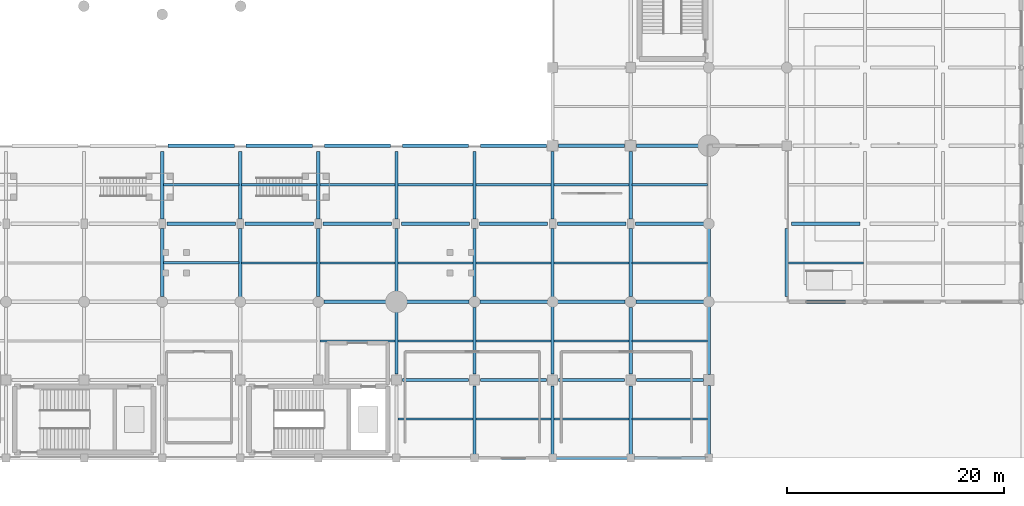
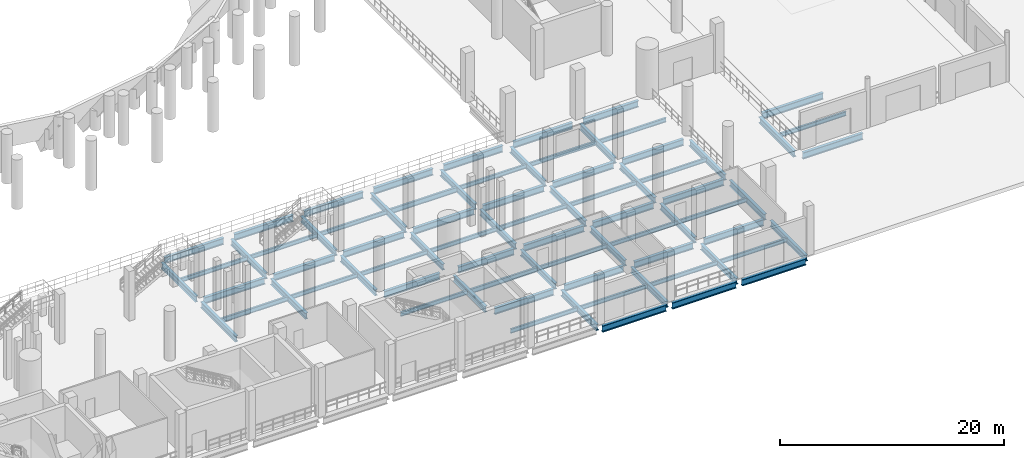
# One storey, part 8 of 58: 77 beams.
"""IFC4 building model written with IfcOpenShell, lengths in metres."""

from ifc_helpers import new_model, si_unit, direction, frame, origin, origin_2d, place, context, subcontext, project, spatial, i_section, extrude, material, material_profile, profile_set, type_object, element, save


model = new_model("IFC4")

# Units and contexts
model_context = context("Model", 3, precision=1e-05, world=origin(), true_north=direction((0.0, 1.0)))
body_context = subcontext(model_context, "Body", "Model", "MODEL_VIEW")
ifc_project = project(units=[si_unit("LENGTHUNIT", "METRE"), si_unit("AREAUNIT", "SQUARE_METRE"), si_unit("VOLUMEUNIT", "CUBIC_METRE"), si_unit("PLANEANGLEUNIT", "RADIAN"), si_unit("MASSUNIT", "GRAM", prefix="KILO")], contexts=[model_context])

# Site, building, storey
site_placement = place(None, origin())
site = spatial("IfcSite", under=ifc_project, at=site_placement, CompositionType="ELEMENT")
building_placement = place(site_placement, origin())
building = spatial("IfcBuilding", under=site, at=building_placement, Name="Qandorah Velis Arena", CompositionType="ELEMENT")
storey_placement = place(building_placement, origin())
storey = spatial("IfcBuildingStorey", under=building, at=storey_placement, Name="L00", CompositionType="ELEMENT", Elevation=0.0)

# Beams
ifc_material = material(Name="Steel S355", Category="steel")
ifc_material_profile_1 = material_profile(ifc_material, i_section(OverallWidth=0.300048828125, OverallDepth=0.64990234375, WebThickness=0.01611328125, FlangeThickness=0.031005859375, FilletRadius=0.027099609375, at=origin_2d()), Name="HEB 650")
ifc_profile_set_1 = profile_set([ifc_material_profile_1], Name="Steel S355")
beam_type_1 = type_object("IfcBeamType", Name="STR-BM-HEB650", PredefinedType="BEAM", material=ifc_profile_set_1)
beam_1_placement = place(storey_placement, frame((64.800048828125, 14.89990234375, -0.7451171875), z_axis=(0.0, 1.0, 0.0), x_axis=(-1.0, 0.0, 0.0)))
element("IfcBeam", 1, at=beam_1_placement, inside=storey, type_object=beam_type_1, Name="Primary floor girder L00 Y-380", PredefinedType="BEAM", context=body_context, shape_type="SweptSolid", body=[
    extrude(i_section(OverallWidth=0.300048828125, OverallDepth=0.64990234375, WebThickness=0.01611328125, FlangeThickness=0.031005859375, FilletRadius=0.027099609375, at=origin_2d()), origin(), (0.0, 0.0, 1.0), 6.25),
])
beam_2_placement = place(storey_placement, frame((64.800048828125, 22.050048828125, -0.7451171875), z_axis=(0.0, 1.0, 0.0), x_axis=(-1.0, 0.0, 0.0)))
element("IfcBeam", 2, at=beam_2_placement, inside=storey, type_object=beam_type_1, Name="Primary floor girder L00 Y-381", PredefinedType="BEAM", context=body_context, shape_type="SweptSolid", body=[
    extrude(i_section(OverallWidth=0.300048828125, OverallDepth=0.64990234375, WebThickness=0.01611328125, FlangeThickness=0.031005859375, FilletRadius=0.027099609375, at=origin_2d()), origin(), (0.0, 0.0, 1.0), 6.199951171875),
])
beam_3_placement = place(storey_placement, frame((72.0, 14.85009765625, -0.7451171875), z_axis=(0.0, 1.0, 0.0), x_axis=(-1.0, 0.0, 0.0)))
element("IfcBeam", 3, at=beam_3_placement, inside=storey, type_object=beam_type_1, Name="Primary floor girder L00 Y-388", PredefinedType="BEAM", context=body_context, shape_type="SweptSolid", body=[
    extrude(i_section(OverallWidth=0.300048828125, OverallDepth=0.64990234375, WebThickness=0.01611328125, FlangeThickness=0.031005859375, FilletRadius=0.027099609375, at=origin_2d()), origin(), (0.0, 0.0, 1.0), 6.2998046875),
])
beam_4_placement = place(storey_placement, frame((72.0, 22.050048828125, -0.7451171875), z_axis=(0.0, 1.0, 0.0), x_axis=(-1.0, 0.0, 0.0)))
element("IfcBeam", 4, at=beam_4_placement, inside=storey, type_object=beam_type_1, Name="Primary floor girder L00 Y-389", PredefinedType="BEAM", context=body_context, shape_type="SweptSolid", body=[
    extrude(i_section(OverallWidth=0.300048828125, OverallDepth=0.64990234375, WebThickness=0.01611328125, FlangeThickness=0.031005859375, FilletRadius=0.027099609375, at=origin_2d()), origin(), (0.0, 0.0, 1.0), 6.199951171875),
])
beam_5_placement = place(storey_placement, frame((79.199951171875, 14.89990234375, -0.7451171875), z_axis=(0.0, 1.0, 0.0), x_axis=(-1.0, 0.0, 0.0)))
element("IfcBeam", 5, at=beam_5_placement, inside=storey, type_object=beam_type_1, Name="Primary floor girder L00 Y-395", PredefinedType="BEAM", context=body_context, shape_type="SweptSolid", body=[
    extrude(i_section(OverallWidth=0.300048828125, OverallDepth=0.64990234375, WebThickness=0.01611328125, FlangeThickness=0.031005859375, FilletRadius=0.027099609375, at=origin_2d()), origin(), (0.0, 0.0, 1.0), 6.25),
])
beam_6_placement = place(storey_placement, frame((79.199951171875, 22.050048828125, -0.7451171875), z_axis=(0.0, 1.0, 0.0), x_axis=(-1.0, 0.0, 0.0)))
element("IfcBeam", 6, at=beam_6_placement, inside=storey, type_object=beam_type_1, Name="Primary floor girder L00 Y-396", PredefinedType="BEAM", context=body_context, shape_type="SweptSolid", body=[
    extrude(i_section(OverallWidth=0.300048828125, OverallDepth=0.64990234375, WebThickness=0.01611328125, FlangeThickness=0.031005859375, FilletRadius=0.027099609375, at=origin_2d()), origin(), (0.0, 0.0, 1.0), 6.199951171875),
])
beam_7_placement = place(storey_placement, frame((86.39990234375, 7.75, -0.7451171875), z_axis=(0.0, 1.0, 0.0), x_axis=(-1.0, 0.0, 0.0)))
element("IfcBeam", 7, at=beam_7_placement, inside=storey, type_object=beam_type_1, Name="Primary floor girder L00 Y-401", PredefinedType="BEAM", context=body_context, shape_type="SweptSolid", body=[
    extrude(i_section(OverallWidth=0.300048828125, OverallDepth=0.64990234375, WebThickness=0.01611328125, FlangeThickness=0.031005859375, FilletRadius=0.027099609375, at=origin_2d()), origin(), (0.0, 0.0, 1.0), 5.699951171875),
])
beam_8_placement = place(storey_placement, frame((86.39990234375, 15.35009765625, -0.7451171875), z_axis=(0.0, 1.0, 0.0), x_axis=(-1.0, 0.0, 0.0)))
element("IfcBeam", 8, at=beam_8_placement, inside=storey, type_object=beam_type_1, Name="Primary floor girder L00 Y-402", PredefinedType="BEAM", context=body_context, shape_type="SweptSolid", body=[
    extrude(i_section(OverallWidth=0.300048828125, OverallDepth=0.64990234375, WebThickness=0.01611328125, FlangeThickness=0.031005859375, FilletRadius=0.027099609375, at=origin_2d()), origin(), (0.0, 0.0, 1.0), 5.7998046875),
])
beam_9_placement = place(storey_placement, frame((86.39990234375, 22.050048828125, -0.7451171875), z_axis=(0.0, 1.0, 0.0), x_axis=(-1.0, 0.0, 0.0)))
element("IfcBeam", 9, at=beam_9_placement, inside=storey, type_object=beam_type_1, Name="Primary floor girder L00 Y-403", PredefinedType="BEAM", context=body_context, shape_type="SweptSolid", body=[
    extrude(i_section(OverallWidth=0.300048828125, OverallDepth=0.64990234375, WebThickness=0.01611328125, FlangeThickness=0.031005859375, FilletRadius=0.027099609375, at=origin_2d()), origin(), (0.0, 0.0, 1.0), 6.199951171875),
])
beam_10_placement = place(storey_placement, frame((93.60009765625, 0.300048828125, -0.7451171875), z_axis=(0.0, 1.0, 0.0), x_axis=(-1.0, 0.0, 0.0)))
element("IfcBeam", 10, at=beam_10_placement, inside=storey, type_object=beam_type_1, Name="Primary floor girder L00 Y-408", PredefinedType="BEAM", context=body_context, shape_type="SweptSolid", body=[
    extrude(i_section(OverallWidth=0.300048828125, OverallDepth=0.64990234375, WebThickness=0.01611328125, FlangeThickness=0.031005859375, FilletRadius=0.027099609375, at=origin_2d()), origin(), (0.0, 0.0, 1.0), 6.349853515625),
])
beam_11_placement = place(storey_placement, frame((93.60009765625, 7.75, -0.7451171875), z_axis=(0.0, 1.0, 0.0), x_axis=(-1.0, 0.0, 0.0)))
element("IfcBeam", 11, at=beam_11_placement, inside=storey, type_object=beam_type_1, Name="Primary floor girder L00 Y-409", PredefinedType="BEAM", context=body_context, shape_type="SweptSolid", body=[
    extrude(i_section(OverallWidth=0.300048828125, OverallDepth=0.64990234375, WebThickness=0.01611328125, FlangeThickness=0.031005859375, FilletRadius=0.027099609375, at=origin_2d()), origin(), (0.0, 0.0, 1.0), 6.14990234375),
])
beam_12_placement = place(storey_placement, frame((93.60009765625, 14.89990234375, -0.7451171875), z_axis=(0.0, 1.0, 0.0), x_axis=(-1.0, 0.0, 0.0)))
element("IfcBeam", 12, at=beam_12_placement, inside=storey, type_object=beam_type_1, Name="Primary floor girder L00 Y-410", PredefinedType="BEAM", context=body_context, shape_type="SweptSolid", body=[
    extrude(i_section(OverallWidth=0.300048828125, OverallDepth=0.64990234375, WebThickness=0.01611328125, FlangeThickness=0.031005859375, FilletRadius=0.027099609375, at=origin_2d()), origin(), (0.0, 0.0, 1.0), 6.25),
])
beam_13_placement = place(storey_placement, frame((93.60009765625, 22.050048828125, -0.7451171875), z_axis=(0.0, 1.0, 0.0), x_axis=(-1.0, 0.0, 0.0)))
element("IfcBeam", 13, at=beam_13_placement, inside=storey, type_object=beam_type_1, Name="Primary floor girder L00 Y-411", PredefinedType="BEAM", context=body_context, shape_type="SweptSolid", body=[
    extrude(i_section(OverallWidth=0.300048828125, OverallDepth=0.64990234375, WebThickness=0.01611328125, FlangeThickness=0.031005859375, FilletRadius=0.027099609375, at=origin_2d()), origin(), (0.0, 0.0, 1.0), 6.199951171875),
])
beam_14_placement = place(storey_placement, frame((100.800048828125, 0.300048828125, -0.7451171875), z_axis=(0.0, 1.0, 0.0), x_axis=(-1.0, 0.0, 0.0)))
element("IfcBeam", 14, at=beam_14_placement, inside=storey, type_object=beam_type_1, Name="Primary floor girder L00 Y-416", PredefinedType="BEAM", context=body_context, shape_type="SweptSolid", body=[
    extrude(i_section(OverallWidth=0.300048828125, OverallDepth=0.64990234375, WebThickness=0.01611328125, FlangeThickness=0.031005859375, FilletRadius=0.027099609375, at=origin_2d()), origin(), (0.0, 0.0, 1.0), 6.349853515625),
])
beam_15_placement = place(storey_placement, frame((100.800048828125, 7.75, -0.7451171875), z_axis=(0.0, 1.0, 0.0), x_axis=(-1.0, 0.0, 0.0)))
element("IfcBeam", 15, at=beam_15_placement, inside=storey, type_object=beam_type_1, Name="Primary floor girder L00 Y-417", PredefinedType="BEAM", context=body_context, shape_type="SweptSolid", body=[
    extrude(i_section(OverallWidth=0.300048828125, OverallDepth=0.64990234375, WebThickness=0.01611328125, FlangeThickness=0.031005859375, FilletRadius=0.027099609375, at=origin_2d()), origin(), (0.0, 0.0, 1.0), 6.199951171875),
])
beam_16_placement = place(storey_placement, frame((100.800048828125, 14.85009765625, -0.7451171875), z_axis=(0.0, 1.0, 0.0), x_axis=(-1.0, 0.0, 0.0)))
element("IfcBeam", 16, at=beam_16_placement, inside=storey, type_object=beam_type_1, Name="Primary floor girder L00 Y-418", PredefinedType="BEAM", context=body_context, shape_type="SweptSolid", body=[
    extrude(i_section(OverallWidth=0.300048828125, OverallDepth=0.64990234375, WebThickness=0.01611328125, FlangeThickness=0.031005859375, FilletRadius=0.027099609375, at=origin_2d()), origin(), (0.0, 0.0, 1.0), 6.2998046875),
])
beam_17_placement = place(storey_placement, frame((100.800048828125, 22.050048828125, -0.7451171875), z_axis=(0.0, 1.0, 0.0), x_axis=(-1.0, 0.0, 0.0)))
element("IfcBeam", 17, at=beam_17_placement, inside=storey, type_object=beam_type_1, Name="Primary floor girder L00 Y-419", PredefinedType="BEAM", context=body_context, shape_type="SweptSolid", body=[
    extrude(i_section(OverallWidth=0.300048828125, OverallDepth=0.64990234375, WebThickness=0.01611328125, FlangeThickness=0.031005859375, FilletRadius=0.027099609375, at=origin_2d()), origin(), (0.0, 0.0, 1.0), 6.199951171875),
])
beam_18_placement = place(storey_placement, frame((108.0, 0.300048828125, -0.7451171875), z_axis=(0.0, 1.0, 0.0), x_axis=(-1.0, 0.0, 0.0)))
element("IfcBeam", 18, at=beam_18_placement, inside=storey, type_object=beam_type_1, Name="Primary floor girder L00 Y-425", PredefinedType="BEAM", context=body_context, shape_type="SweptSolid", body=[
    extrude(i_section(OverallWidth=0.300048828125, OverallDepth=0.64990234375, WebThickness=0.01611328125, FlangeThickness=0.031005859375, FilletRadius=0.027099609375, at=origin_2d()), origin(), (0.0, 0.0, 1.0), 6.349853515625),
])
beam_19_placement = place(storey_placement, frame((108.0, 7.75, -0.7451171875), z_axis=(0.0, 1.0, 0.0), x_axis=(-1.0, 0.0, 0.0)))
element("IfcBeam", 19, at=beam_19_placement, inside=storey, type_object=beam_type_1, Name="Primary floor girder L00 Y-426", PredefinedType="BEAM", context=body_context, shape_type="SweptSolid", body=[
    extrude(i_section(OverallWidth=0.300048828125, OverallDepth=0.64990234375, WebThickness=0.01611328125, FlangeThickness=0.031005859375, FilletRadius=0.027099609375, at=origin_2d()), origin(), (0.0, 0.0, 1.0), 6.14990234375),
])
beam_20_placement = place(storey_placement, frame((108.0, 14.89990234375, -0.7451171875), z_axis=(0.0, 1.0, 0.0), x_axis=(-1.0, 0.0, 0.0)))
element("IfcBeam", 20, at=beam_20_placement, inside=storey, type_object=beam_type_1, Name="Primary floor girder L00 Y-427", PredefinedType="BEAM", context=body_context, shape_type="SweptSolid", body=[
    extrude(i_section(OverallWidth=0.300048828125, OverallDepth=0.64990234375, WebThickness=0.01611328125, FlangeThickness=0.031005859375, FilletRadius=0.027099609375, at=origin_2d()), origin(), (0.0, 0.0, 1.0), 6.25),
])
beam_21_placement = place(storey_placement, frame((108.0, 22.050048828125, -0.7451171875), z_axis=(0.0, 1.0, 0.0), x_axis=(-1.0, 0.0, 0.0)))
element("IfcBeam", 21, at=beam_21_placement, inside=storey, type_object=beam_type_1, Name="Primary floor girder L00 Y-428", PredefinedType="BEAM", context=body_context, shape_type="SweptSolid", body=[
    extrude(i_section(OverallWidth=0.300048828125, OverallDepth=0.64990234375, WebThickness=0.01611328125, FlangeThickness=0.031005859375, FilletRadius=0.027099609375, at=origin_2d()), origin(), (0.0, 0.0, 1.0), 6.199951171875),
])
beam_22_placement = place(storey_placement, frame((115.199951171875, 0.300048828125, -0.7451171875), z_axis=(0.0, 1.0, 0.0), x_axis=(-1.0, 0.0, 0.0)))
element("IfcBeam", 22, at=beam_22_placement, inside=storey, type_object=beam_type_1, Name="Primary floor girder L00 Y-443", PredefinedType="BEAM", context=body_context, shape_type="SweptSolid", body=[
    extrude(i_section(OverallWidth=0.300048828125, OverallDepth=0.64990234375, WebThickness=0.01611328125, FlangeThickness=0.031005859375, FilletRadius=0.027099609375, at=origin_2d()), origin(), (0.0, 0.0, 1.0), 6.39990234375),
])
beam_23_placement = place(storey_placement, frame((115.199951171875, 7.699951171875, -0.7451171875), z_axis=(0.0, 1.0, 0.0), x_axis=(-1.0, 0.0, 0.0)))
element("IfcBeam", 23, at=beam_23_placement, inside=storey, type_object=beam_type_1, Name="Primary floor girder L00 Y-444", PredefinedType="BEAM", context=body_context, shape_type="SweptSolid", body=[
    extrude(i_section(OverallWidth=0.300048828125, OverallDepth=0.64990234375, WebThickness=0.01611328125, FlangeThickness=0.031005859375, FilletRadius=0.027099609375, at=origin_2d()), origin(), (0.0, 0.0, 1.0), 6.25),
])
beam_24_placement = place(storey_placement, frame((115.199951171875, 14.85009765625, -0.7451171875), z_axis=(0.0, 1.0, 0.0), x_axis=(-1.0, 0.0, 0.0)))
element("IfcBeam", 24, at=beam_24_placement, inside=storey, type_object=beam_type_1, Name="Primary floor girder L00 Y-445", PredefinedType="BEAM", context=body_context, shape_type="SweptSolid", body=[
    extrude(i_section(OverallWidth=0.300048828125, OverallDepth=0.64990234375, WebThickness=0.01611328125, FlangeThickness=0.031005859375, FilletRadius=0.027099609375, at=origin_2d()), origin(), (0.0, 0.0, 1.0), 6.2998046875),
])
beam_25_placement = place(storey_placement, frame((122.39990234375, 14.89990234375, -0.7451171875), z_axis=(0.0, 1.0, 0.0), x_axis=(-1.0, 0.0, 0.0)))
element("IfcBeam", 25, at=beam_25_placement, inside=storey, type_object=beam_type_1, Name="Primary floor girder L00 Y-460", PredefinedType="BEAM", context=body_context, shape_type="SweptSolid", body=[
    extrude(i_section(OverallWidth=0.300048828125, OverallDepth=0.64990234375, WebThickness=0.01611328125, FlangeThickness=0.031005859375, FilletRadius=0.027099609375, at=origin_2d()), origin(), (0.0, 0.0, 1.0), 6.25),
])
ifc_material_profile_2 = material_profile(ifc_material, i_section(OverallWidth=0.300048828125, OverallDepth=0.699951171875, WebThickness=0.01708984375, FlangeThickness=0.031982421875, FilletRadius=0.027099609375, at=origin_2d()), Name="HEB 700")
ifc_profile_set_2 = profile_set([ifc_material_profile_2], Name="Steel S355")
beam_type_2 = type_object("IfcBeamType", Name="STR-BM-HEB700", PredefinedType="BEAM", material=ifc_profile_set_2)
beam_26_placement = place(storey_placement, frame((93.89990234375, 0.0, -0.77001953125), z_axis=(1.0, 0.0, 0.0), x_axis=(0.0, 1.0, 0.0)))
element("IfcBeam", 26, at=beam_26_placement, inside=storey, type_object=beam_type_2, Name="Primary floor girder L00 X-014", PredefinedType="BEAM", context=body_context, shape_type="SweptSolid", body=[
    extrude(i_section(OverallWidth=0.300048828125, OverallDepth=0.699951171875, WebThickness=0.01708984375, FlangeThickness=0.031982421875, FilletRadius=0.027099609375, at=origin_2d()), origin(), (0.0, 0.0, 1.0), 6.60009765625),
])
for number, where, z_axis, x_axis, name in (
    (27, (101.10009765625, 0.0, -0.77001953125), (1.0, 0.0, 0.0), (0.0, 1.0, 0.0), "Primary floor girder L00 X-015"),
    (28, (108.300048828125, 0.0, -0.77001953125), (1.0, 0.0, 0.0), (0.0, 1.0, 0.0), "Primary floor girder L00 X-016"),
):
    element("IfcBeam", number, at=place(storey_placement, frame(where, z_axis=z_axis, x_axis=x_axis)), inside=storey, type_object=beam_type_2, Name=name, PredefinedType="BEAM", context=body_context, shape_type="SweptSolid", body=[
        extrude(i_section(OverallWidth=0.300048828125, OverallDepth=0.699951171875, WebThickness=0.01708984375, FlangeThickness=0.031982421875, FilletRadius=0.027099609375, at=origin_2d()), origin(), (0.0, 0.0, 1.0), 6.599853515625),
    ])
for number, where, z_axis, x_axis, name in (
    (29, (86.949951171875, 7.199951171875, -0.77001953125), (1.0, 0.0, 0.0), (0.0, 1.0, 0.0), "Primary floor girder L00 X-029"),
    (30, (94.14990234375, 7.199951171875, -0.77001953125), (1.0, 0.0, 0.0), (0.0, 1.0, 0.0), "Primary floor girder L00 X-030"),
):
    element("IfcBeam", number, at=place(storey_placement, frame(where, z_axis=z_axis, x_axis=x_axis)), inside=storey, type_object=beam_type_2, Name=name, PredefinedType="BEAM", context=body_context, shape_type="SweptSolid", body=[
        extrude(i_section(OverallWidth=0.300048828125, OverallDepth=0.699951171875, WebThickness=0.01708984375, FlangeThickness=0.031982421875, FilletRadius=0.027099609375, at=origin_2d()), origin(), (0.0, 0.0, 1.0), 6.10009765625),
    ])
beam_27_placement = place(storey_placement, frame((101.35009765625, 7.199951171875, -0.77001953125), z_axis=(1.0, 0.0, 0.0), x_axis=(0.0, 1.0, 0.0)))
element("IfcBeam", 31, at=beam_27_placement, inside=storey, type_object=beam_type_2, Name="Primary floor girder L00 X-031", PredefinedType="BEAM", context=body_context, shape_type="SweptSolid", body=[
    extrude(i_section(OverallWidth=0.300048828125, OverallDepth=0.699951171875, WebThickness=0.01708984375, FlangeThickness=0.031982421875, FilletRadius=0.027099609375, at=origin_2d()), origin(), (0.0, 0.0, 1.0), 6.099853515625),
])
beam_28_placement = place(storey_placement, frame((108.550048828125, 7.199951171875, -0.77001953125), z_axis=(1.0, 0.0, 0.0), x_axis=(0.0, 1.0, 0.0)))
element("IfcBeam", 32, at=beam_28_placement, inside=storey, type_object=beam_type_2, Name="Primary floor girder L00 X-032", PredefinedType="BEAM", context=body_context, shape_type="SweptSolid", body=[
    extrude(i_section(OverallWidth=0.300048828125, OverallDepth=0.699951171875, WebThickness=0.01708984375, FlangeThickness=0.031982421875, FilletRadius=0.027099609375, at=origin_2d()), origin(), (0.0, 0.0, 1.0), 6.14990234375),
])
for number, where, z_axis, x_axis, name in (
    (33, (79.699951171875, 14.39990234375, -0.77001953125), (1.0, 0.0, 0.0), (0.0, 1.0, 0.0), "Primary floor girder L00 X-044"),
    (34, (87.35009765625, 14.39990234375, -0.77001953125), (1.0, 0.0, 0.0), (0.0, 1.0, 0.0), "Primary floor girder L00 X-045"),
):
    element("IfcBeam", number, at=place(storey_placement, frame(where, z_axis=z_axis, x_axis=x_axis)), inside=storey, type_object=beam_type_2, Name=name, PredefinedType="BEAM", context=body_context, shape_type="SweptSolid", body=[
        extrude(i_section(OverallWidth=0.300048828125, OverallDepth=0.699951171875, WebThickness=0.01708984375, FlangeThickness=0.031982421875, FilletRadius=0.027099609375, at=origin_2d()), origin(), (0.0, 0.0, 1.0), 5.75),
    ])
for number, where, z_axis, x_axis, name in (
    (35, (94.10009765625, 14.39990234375, -0.77001953125), (1.0, 0.0, 0.0), (0.0, 1.0, 0.0), "Primary floor girder L00 X-046"),
    (36, (101.25, 14.39990234375, -0.77001953125), (1.0, 0.0, 0.0), (0.0, 1.0, 0.0), "Primary floor girder L00 X-047"),
    (37, (108.5, 14.39990234375, -0.77001953125), (1.0, 0.0, 0.0), (0.0, 1.0, 0.0), "Primary floor girder L00 X-048"),
):
    element("IfcBeam", number, at=place(storey_placement, frame(where, z_axis=z_axis, x_axis=x_axis)), inside=storey, type_object=beam_type_2, Name=name, PredefinedType="BEAM", context=body_context, shape_type="SweptSolid", body=[
        extrude(i_section(OverallWidth=0.300048828125, OverallDepth=0.699951171875, WebThickness=0.01708984375, FlangeThickness=0.031982421875, FilletRadius=0.027099609375, at=origin_2d()), origin(), (0.0, 0.0, 1.0), 6.25),
    ])
beam_29_placement = place(storey_placement, frame((122.89990234375, 14.39990234375, -0.77001953125), z_axis=(1.0, 0.0, 0.0), x_axis=(0.0, 1.0, 0.0)))
element("IfcBeam", 38, at=beam_29_placement, inside=storey, type_object=beam_type_2, Name="Primary floor girder L00 X-049", PredefinedType="BEAM", context=body_context, shape_type="SweptSolid", body=[
    extrude(i_section(OverallWidth=0.300048828125, OverallDepth=0.699951171875, WebThickness=0.01708984375, FlangeThickness=0.031982421875, FilletRadius=0.027099609375, at=origin_2d()), origin(), (0.0, 0.0, 1.0), 6.2001953125),
])
for number, where, z_axis, x_axis, name in (
    (39, (65.25, 21.60009765625, -0.77001953125), (1.0, 0.0, 0.0), (0.0, 1.0, 0.0), "Primary floor girder L00 X-061"),
    (40, (72.449951171875, 21.60009765625, -0.77001953125), (1.0, 0.0, 0.0), (0.0, 1.0, 0.0), "Primary floor girder L00 X-062"),
    (41, (79.64990234375, 21.60009765625, -0.77001953125), (1.0, 0.0, 0.0), (0.0, 1.0, 0.0), "Primary floor girder L00 X-063"),
):
    element("IfcBeam", number, at=place(storey_placement, frame(where, z_axis=z_axis, x_axis=x_axis)), inside=storey, type_object=beam_type_2, Name=name, PredefinedType="BEAM", context=body_context, shape_type="SweptSolid", body=[
        extrude(i_section(OverallWidth=0.300048828125, OverallDepth=0.699951171875, WebThickness=0.01708984375, FlangeThickness=0.031982421875, FilletRadius=0.027099609375, at=origin_2d()), origin(), (0.0, 0.0, 1.0), 6.300048828125),
    ])
beam_30_placement = place(storey_placement, frame((86.85009765625, 21.60009765625, -0.77001953125), z_axis=(1.0, 0.0, 0.0), x_axis=(0.0, 1.0, 0.0)))
element("IfcBeam", 42, at=beam_30_placement, inside=storey, type_object=beam_type_2, Name="Primary floor girder L00 X-064", PredefinedType="BEAM", context=body_context, shape_type="SweptSolid", body=[
    extrude(i_section(OverallWidth=0.300048828125, OverallDepth=0.699951171875, WebThickness=0.01708984375, FlangeThickness=0.031982421875, FilletRadius=0.027099609375, at=origin_2d()), origin(), (0.0, 0.0, 1.0), 6.2998046875),
])
for number, where, z_axis, x_axis, name in (
    (43, (94.050048828125, 21.60009765625, -0.77001953125), (1.0, 0.0, 0.0), (0.0, 1.0, 0.0), "Primary floor girder L00 X-065"),
    (44, (101.25, 21.60009765625, -0.77001953125), (1.0, 0.0, 0.0), (0.0, 1.0, 0.0), "Primary floor girder L00 X-066"),
    (45, (108.449951171875, 21.60009765625, -0.77001953125), (1.0, 0.0, 0.0), (0.0, 1.0, 0.0), "Primary floor girder L00 X-067"),
):
    element("IfcBeam", number, at=place(storey_placement, frame(where, z_axis=z_axis, x_axis=x_axis)), inside=storey, type_object=beam_type_2, Name=name, PredefinedType="BEAM", context=body_context, shape_type="SweptSolid", body=[
        extrude(i_section(OverallWidth=0.300048828125, OverallDepth=0.699951171875, WebThickness=0.01708984375, FlangeThickness=0.031982421875, FilletRadius=0.027099609375, at=origin_2d()), origin(), (0.0, 0.0, 1.0), 6.300048828125),
    ])
beam_31_placement = place(storey_placement, frame((122.85009765625, 21.60009765625, -0.77001953125), z_axis=(1.0, 0.0, 0.0), x_axis=(0.0, 1.0, 0.0)))
element("IfcBeam", 46, at=beam_31_placement, inside=storey, type_object=beam_type_2, Name="Primary floor girder L00 X-068", PredefinedType="BEAM", context=body_context, shape_type="SweptSolid", body=[
    extrude(i_section(OverallWidth=0.300048828125, OverallDepth=0.699951171875, WebThickness=0.01708984375, FlangeThickness=0.031982421875, FilletRadius=0.027099609375, at=origin_2d()), origin(), (0.0, 0.0, 1.0), 6.2998046875),
])
for number, where, z_axis, x_axis, name in (
    (47, (65.35009765625, 28.800048828125, -0.77001953125), (1.0, 0.0, 0.0), (0.0, 1.0, 0.0), "Primary floor girder L00 X-080"),
    (48, (72.550048828125, 28.800048828125, -0.77001953125), (1.0, 0.0, 0.0), (0.0, 1.0, 0.0), "Primary floor girder L00 X-081"),
):
    element("IfcBeam", number, at=place(storey_placement, frame(where, z_axis=z_axis, x_axis=x_axis)), inside=storey, type_object=beam_type_2, Name=name, PredefinedType="BEAM", context=body_context, shape_type="SweptSolid", body=[
        extrude(i_section(OverallWidth=0.300048828125, OverallDepth=0.699951171875, WebThickness=0.01708984375, FlangeThickness=0.031982421875, FilletRadius=0.027099609375, at=origin_2d()), origin(), (0.0, 0.0, 1.0), 6.099853515625),
    ])
for number, where, z_axis, x_axis, name in (
    (49, (79.75, 28.800048828125, -0.77001953125), (1.0, 0.0, 0.0), (0.0, 1.0, 0.0), "Primary floor girder L00 X-082"),
    (50, (86.949951171875, 28.800048828125, -0.77001953125), (1.0, 0.0, 0.0), (0.0, 1.0, 0.0), "Primary floor girder L00 X-083"),
    (51, (94.14990234375, 28.800048828125, -0.77001953125), (1.0, 0.0, 0.0), (0.0, 1.0, 0.0), "Primary floor girder L00 X-084"),
):
    element("IfcBeam", number, at=place(storey_placement, frame(where, z_axis=z_axis, x_axis=x_axis)), inside=storey, type_object=beam_type_2, Name=name, PredefinedType="BEAM", context=body_context, shape_type="SweptSolid", body=[
        extrude(i_section(OverallWidth=0.300048828125, OverallDepth=0.699951171875, WebThickness=0.01708984375, FlangeThickness=0.031982421875, FilletRadius=0.027099609375, at=origin_2d()), origin(), (0.0, 0.0, 1.0), 6.10009765625),
    ])
beam_32_placement = place(storey_placement, frame((101.35009765625, 28.800048828125, -0.77001953125), z_axis=(1.0, 0.0, 0.0), x_axis=(0.0, 1.0, 0.0)))
element("IfcBeam", 52, at=beam_32_placement, inside=storey, type_object=beam_type_2, Name="Primary floor girder L00 X-085", PredefinedType="BEAM", context=body_context, shape_type="SweptSolid", body=[
    extrude(i_section(OverallWidth=0.300048828125, OverallDepth=0.699951171875, WebThickness=0.01708984375, FlangeThickness=0.031982421875, FilletRadius=0.027099609375, at=origin_2d()), origin(), (0.0, 0.0, 1.0), 6.099853515625),
])
beam_33_placement = place(storey_placement, frame((108.550048828125, 28.800048828125, -0.77001953125), z_axis=(1.0, 0.0, 0.0), x_axis=(0.0, 1.0, 0.0)))
element("IfcBeam", 53, at=beam_33_placement, inside=storey, type_object=beam_type_2, Name="Primary floor girder L00 X-086", PredefinedType="BEAM", context=body_context, shape_type="SweptSolid", body=[
    extrude(i_section(OverallWidth=0.300048828125, OverallDepth=0.699951171875, WebThickness=0.01708984375, FlangeThickness=0.031982421875, FilletRadius=0.027099609375, at=origin_2d()), origin(), (0.0, 0.0, 1.0), 5.699951171875),
])
ifc_material_profile_3 = material_profile(ifc_material, i_section(OverallWidth=0.18994140625, OverallDepth=0.449951171875, WebThickness=0.009521484375, FlangeThickness=0.0146484375, FilletRadius=0.02099609375, at=origin_2d()), Name="IPE 450")
ifc_profile_set_3 = profile_set([ifc_material_profile_3], Name="Steel S355")
beam_type_3 = type_object("IfcBeamType", Name="STR-JST-IPE450", PredefinedType="JOIST", material=ifc_profile_set_3)
for number, where, z_axis, x_axis, name in (
    (54, (64.93505859375, 25.199951171875, -0.64501953125), (1.0, 0.0, 0.0), (0.0, 1.0, 0.0), "Secondary floor joist L00-096"),
    (55, (72.135009765625, 18.0, -0.64501953125), (1.0, 0.0, 0.0), (0.0, 1.0, 0.0), "Secondary floor joist L00-102"),
    (56, (72.135009765625, 25.199951171875, -0.64501953125), (1.0, 0.0, 0.0), (0.0, 1.0, 0.0), "Secondary floor joist L00-103"),
    (57, (79.3349609375, 10.800048828125, -0.64501953125), (1.0, 0.0, 0.0), (0.0, 1.0, 0.0), "Secondary floor joist L00-107"),
    (58, (79.3349609375, 18.0, -0.64501953125), (1.0, 0.0, 0.0), (0.0, 1.0, 0.0), "Secondary floor joist L00-108"),
    (59, (79.3349609375, 25.199951171875, -0.64501953125), (1.0, 0.0, 0.0), (0.0, 1.0, 0.0), "Secondary floor joist L00-109"),
):
    element("IfcBeam", number, at=place(storey_placement, frame(where, z_axis=z_axis, x_axis=x_axis)), inside=storey, type_object=beam_type_3, Name=name, PredefinedType="JOIST", context=body_context, shape_type="SweptSolid", body=[
        extrude(i_section(OverallWidth=0.18994140625, OverallDepth=0.449951171875, WebThickness=0.009521484375, FlangeThickness=0.0146484375, FilletRadius=0.02099609375, at=origin_2d()), origin(), (0.0, 0.0, 1.0), 6.929931640625),
    ])
for number, where, z_axis, x_axis, name in (
    (60, (86.534912109375, 3.60009765625, -0.64501953125), (1.0, 0.0, 0.0), (0.0, 1.0, 0.0), "Secondary floor joist L00-113"),
    (61, (86.534912109375, 18.0, -0.64501953125), (1.0, 0.0, 0.0), (0.0, 1.0, 0.0), "Secondary floor joist L00-115"),
):
    element("IfcBeam", number, at=place(storey_placement, frame(where, z_axis=z_axis, x_axis=x_axis)), inside=storey, type_object=beam_type_3, Name=name, PredefinedType="JOIST", context=body_context, shape_type="SweptSolid", body=[
        extrude(i_section(OverallWidth=0.18994140625, OverallDepth=0.449951171875, WebThickness=0.009521484375, FlangeThickness=0.0146484375, FilletRadius=0.02099609375, at=origin_2d()), origin(), (0.0, 0.0, 1.0), 6.93017578125),
    ])
for number, where, z_axis, x_axis, name in (
    (62, (93.735107421875, 3.60009765625, -0.64501953125), (1.0, 0.0, 0.0), (0.0, 1.0, 0.0), "Secondary floor joist L00-121"),
    (63, (93.735107421875, 10.800048828125, -0.64501953125), (1.0, 0.0, 0.0), (0.0, 1.0, 0.0), "Secondary floor joist L00-122"),
    (64, (93.735107421875, 18.0, -0.64501953125), (1.0, 0.0, 0.0), (0.0, 1.0, 0.0), "Secondary floor joist L00-123"),
    (65, (93.735107421875, 25.199951171875, -0.64501953125), (1.0, 0.0, 0.0), (0.0, 1.0, 0.0), "Secondary floor joist L00-124"),
    (66, (100.93505859375, 3.60009765625, -0.64501953125), (1.0, 0.0, 0.0), (0.0, 1.0, 0.0), "Secondary floor joist L00-128"),
    (67, (100.93505859375, 10.800048828125, -0.64501953125), (1.0, 0.0, 0.0), (0.0, 1.0, 0.0), "Secondary floor joist L00-129"),
    (68, (100.93505859375, 18.0, -0.64501953125), (1.0, 0.0, 0.0), (0.0, 1.0, 0.0), "Secondary floor joist L00-130"),
    (69, (100.93505859375, 25.199951171875, -0.64501953125), (1.0, 0.0, 0.0), (0.0, 1.0, 0.0), "Secondary floor joist L00-131"),
    (70, (108.135009765625, 3.60009765625, -0.64501953125), (1.0, 0.0, 0.0), (0.0, 1.0, 0.0), "Secondary floor joist L00-137"),
    (71, (108.135009765625, 10.800048828125, -0.64501953125), (1.0, 0.0, 0.0), (0.0, 1.0, 0.0), "Secondary floor joist L00-138"),
    (72, (108.135009765625, 18.0, -0.64501953125), (1.0, 0.0, 0.0), (0.0, 1.0, 0.0), "Secondary floor joist L00-139"),
    (73, (108.135009765625, 25.199951171875, -0.64501953125), (1.0, 0.0, 0.0), (0.0, 1.0, 0.0), "Secondary floor joist L00-140"),
):
    element("IfcBeam", number, at=place(storey_placement, frame(where, z_axis=z_axis, x_axis=x_axis)), inside=storey, type_object=beam_type_3, Name=name, PredefinedType="JOIST", context=body_context, shape_type="SweptSolid", body=[
        extrude(i_section(OverallWidth=0.18994140625, OverallDepth=0.449951171875, WebThickness=0.009521484375, FlangeThickness=0.0146484375, FilletRadius=0.02099609375, at=origin_2d()), origin(), (0.0, 0.0, 1.0), 6.929931640625),
    ])
beam_34_placement = place(storey_placement, frame((122.534912109375, 18.0, -0.64501953125), z_axis=(1.0, 0.0, 0.0), x_axis=(0.0, 1.0, 0.0)))
element("IfcBeam", 74, at=beam_34_placement, inside=storey, type_object=beam_type_3, Name="Secondary floor joist L00-157", PredefinedType="JOIST", context=body_context, shape_type="SweptSolid", body=[
    extrude(i_section(OverallWidth=0.18994140625, OverallDepth=0.449951171875, WebThickness=0.009521484375, FlangeThickness=0.0146484375, FilletRadius=0.02099609375, at=origin_2d()), origin(), (0.0, 0.0, 1.0), 6.93017578125),
])
ifc_material_profile_4 = material_profile(ifc_material, i_section(OverallWidth=0.199951171875, OverallDepth=0.5, WebThickness=0.01025390625, FlangeThickness=0.01611328125, FilletRadius=0.02099609375, at=origin_2d()), Name="IPE 500")
ifc_profile_set_4 = profile_set([ifc_material_profile_4], Name="Steel S355")
beam_type_4 = type_object("IfcBeamType", Name="STR-JST-IPE500", PredefinedType="JOIST", material=ifc_profile_set_4)
beam_35_placement = place(storey_placement, frame((64.93505859375, 18.0, -0.669921875), z_axis=(1.0, 0.0, 0.0), x_axis=(0.0, 1.0, 0.0)))
element("IfcBeam", 75, at=beam_35_placement, inside=storey, type_object=beam_type_4, Name="Secondary floor joist L00-095", PredefinedType="JOIST", context=body_context, shape_type="SweptSolid", body=[
    extrude(i_section(OverallWidth=0.199951171875, OverallDepth=0.5, WebThickness=0.01025390625, FlangeThickness=0.01611328125, FilletRadius=0.02099609375, at=origin_2d()), origin(), (0.0, 0.0, 1.0), 6.929931640625),
])
beam_36_placement = place(storey_placement, frame((86.534912109375, 10.800048828125, -0.669921875), z_axis=(1.0, 0.0, 0.0), x_axis=(0.0, 1.0, 0.0)))
element("IfcBeam", 76, at=beam_36_placement, inside=storey, type_object=beam_type_4, Name="Secondary floor joist L00-114", PredefinedType="JOIST", context=body_context, shape_type="SweptSolid", body=[
    extrude(i_section(OverallWidth=0.199951171875, OverallDepth=0.5, WebThickness=0.01025390625, FlangeThickness=0.01611328125, FilletRadius=0.02099609375, at=origin_2d()), origin(), (0.0, 0.0, 1.0), 6.93017578125),
])
ifc_material_profile_5 = material_profile(ifc_material, i_section(OverallWidth=0.2099609375, OverallDepth=0.550048828125, WebThickness=0.010986328125, FlangeThickness=0.01708984375, FilletRadius=0.02392578125, at=origin_2d()), Name="IPE 550")
ifc_profile_set_5 = profile_set([ifc_material_profile_5], Name="Steel S355")
beam_type_5 = type_object("IfcBeamType", Name="STR-JST-IPE550", PredefinedType="JOIST", material=ifc_profile_set_5)
beam_37_placement = place(storey_placement, frame((86.534912109375, 25.199951171875, -0.695068359375), z_axis=(1.0, 0.0, 0.0), x_axis=(0.0, 1.0, 0.0)))
element("IfcBeam", 77, at=beam_37_placement, inside=storey, type_object=beam_type_5, Name="Secondary floor joist L00-116", PredefinedType="JOIST", context=body_context, shape_type="SweptSolid", body=[
    extrude(i_section(OverallWidth=0.2099609375, OverallDepth=0.550048828125, WebThickness=0.010986328125, FlangeThickness=0.01708984375, FilletRadius=0.02392578125, at=origin_2d()), origin(), (0.0, 0.0, 1.0), 6.93017578125),
])

save(model, "model.ifc")
